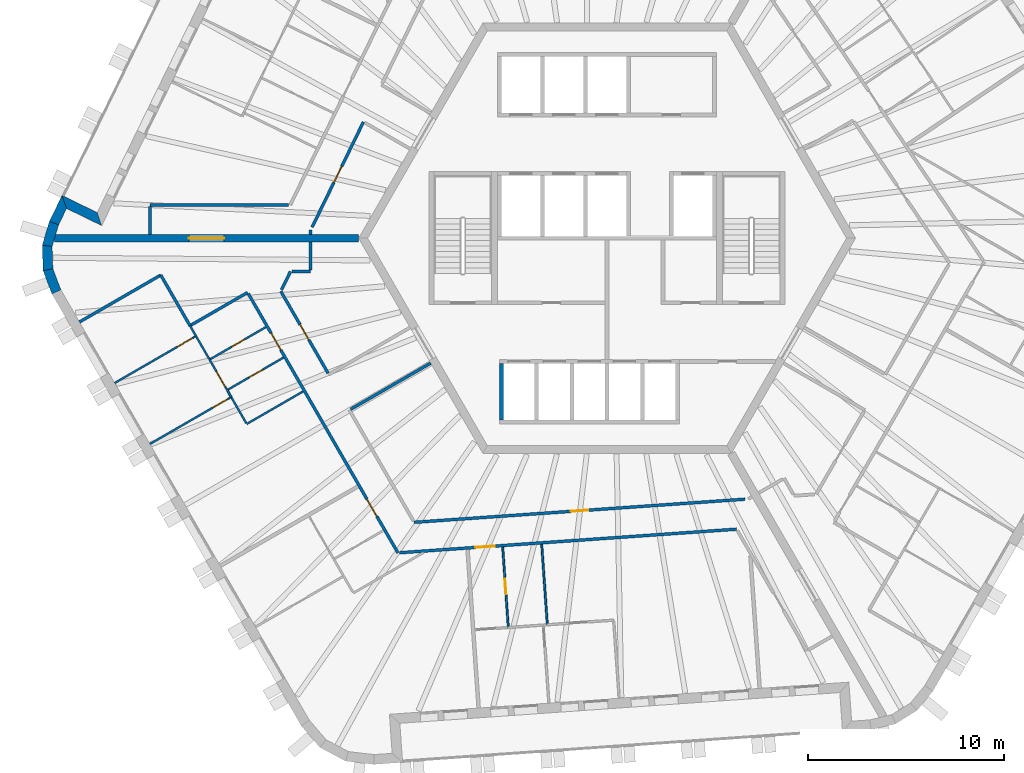
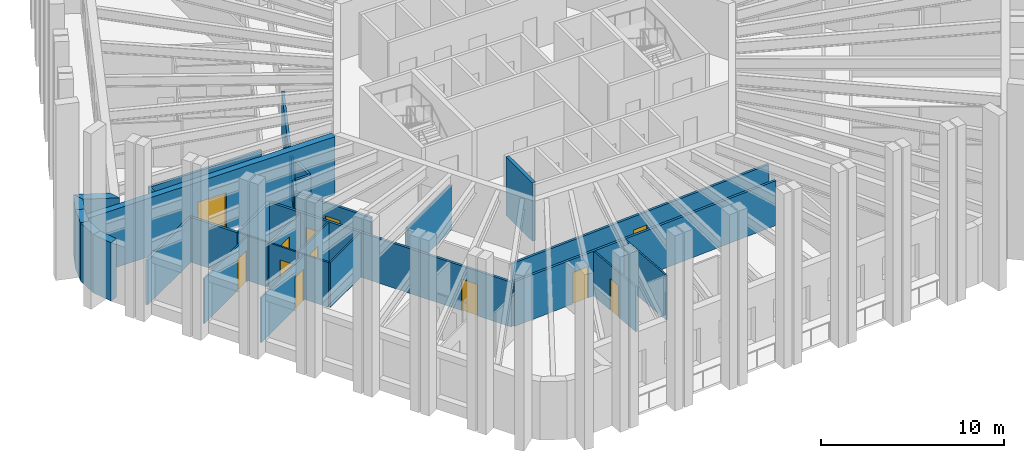
# One storey, part 4 of 13: 34 walls, 13 doors, 13 openings.
"""IFC4 building model written with IfcOpenShell, lengths in metres."""

from ifc_helpers import new_model, si_unit, direction, frame, frame_2d, origin, place, context, subcontext, project, spatial, polyline, rectangle, outline, extrude, material, layer, layer_set, type_object, element, fill, save


model = new_model("IFC4")

# Units and contexts
model_context = context("Model", 3, precision=1e-05, world=origin(), true_north=direction((0.0, 1.0)))
body_context = subcontext(model_context, "Body", "Model", "MODEL_VIEW")
ifc_project = project(units=[si_unit("LENGTHUNIT", "METRE"), si_unit("AREAUNIT", "SQUARE_METRE"), si_unit("VOLUMEUNIT", "CUBIC_METRE"), si_unit("PLANEANGLEUNIT", "RADIAN"), si_unit("MASSUNIT", "GRAM", prefix="KILO")], contexts=[model_context])

# Site, building, storey
site_placement = place(None, origin())
site = spatial("IfcSite", under=ifc_project, at=site_placement, CompositionType="ELEMENT")
building_placement = place(site_placement, origin())
building = spatial("IfcBuilding", under=site, at=building_placement, Name="Tarnside Tower", CompositionType="ELEMENT")
storey_placement = place(building_placement, frame((0.0, 0.0, 279.60009765625)))
storey = spatial("IfcBuildingStorey", under=building, at=storey_placement, Name="L67", CompositionType="ELEMENT", Elevation=279.60009765625)

# Walls
ifc_material_1 = material(Name="Gypsum board partition on steel studs", Category="steel")
ifc_layer_1 = layer(ifc_material_1, 0.10009765625)
ifc_layer_set_1 = layer_set([ifc_layer_1], Name="Bathroom wall 100")
wall_type_1 = type_object("IfcWallType", Name="Bathroom wall 100", PredefinedType="PARTITIONING", material=ifc_layer_set_1)
wall_1_placement = place(storey_placement, frame((-15.540283203125, -7.83349609375, 0.0), z_axis=(0.0, 0.0, 1.0), x_axis=(-0.866020521143, -0.500008456887, 0.0)))
element("IfcWall", 1, at=wall_1_placement, inside=storey, type_object=wall_type_1, Name="Bathroom wall 22118", PredefinedType="PARTITIONING", context=body_context, shape_type="SweptSolid", body=[
    extrude(rectangle(XDim=3.3251953125, YDim=0.10009765625, at=frame_2d((1.66259765625, 0.0))), origin(), (0.0, 0.0, 1.0), 2.98779296875),
])
wall_2_placement = place(storey_placement, frame((-18.44482421875, -9.45263671875, 0.0), z_axis=(0.0, 0.0, 1.0), x_axis=(-0.500024172624, 0.866011447264, 0.0)))
element("IfcWall", 2, at=wall_2_placement, inside=storey, type_object=wall_type_1, Name="Bathroom wall 22119", PredefinedType="PARTITIONING", context=body_context, shape_type="SweptSolid", body=[
    extrude(rectangle(XDim=1.541015625, YDim=0.10009765625, at=frame_2d((0.7705078125, 0.0))), origin(), (0.0, 0.0, 1.0), 2.98779296875),
])

# Wall, opening, door
wall_3_placement = place(storey_placement, frame((-17.440185546875, -4.54248046875, 0.0), z_axis=(0.0, 0.0, 1.0), x_axis=(-0.866020521143, -0.500008456887, 0.0)))
wall_3 = element("IfcWall", 3, at=wall_3_placement, inside=storey, type_object=wall_type_1, Name="Bathroom wall 22122", PredefinedType="PARTITIONING", context=body_context, shape_type="SweptSolid", body=[
    extrude(rectangle(XDim=3.3251953125, YDim=0.10009765625, at=frame_2d((1.66259765625, 0.0))), origin(), (0.0, 0.0, 1.0), 2.98779296875),
])
opening_1_placement = place(wall_3_placement, frame((1.22509765625, 0.0, 0.0)))
opening_1 = element("IfcOpeningElement", 4, at=opening_1_placement, cuts=wall_3, Name="Opening D-B1", PredefinedType="OPENING", context=body_context, shape_type="SweptSolid", body=[
    extrude(rectangle(XDim=0.800048828125, YDim=2.10009765625, at=frame_2d((0.39990234375, 1.050048828125))), frame((0.0, 0.06005859375, 0.0), z_axis=(0.0, -1.0, 0.0), x_axis=(1.0, 0.0, 0.0)), (0.0, 0.0, 1.0), 0.1201171875),
])
ifc_material_2 = material(Name="Timber door leaf", Category="wood")
door_type_1 = type_object("IfcDoorType", Name="Bathroom door 800", OperationType="NOTDEFINED", PredefinedType="DOOR", material=ifc_material_2)
door_1_placement = place(opening_1_placement, origin())
door_1 = element("IfcDoor", 5, at=door_1_placement, inside=storey, type_object=door_type_1, Name="Bathroom door 22031", OperationType="SINGLE_SWING_RIGHT", OverallHeight=2.10009765625, OverallWidth=0.800048828125, PredefinedType="DOOR", context=body_context, shape_type="SweptSolid", body=[
    extrude(rectangle(XDim=0.800048828125, YDim=2.10009765625, at=frame_2d((0.39990234375, 1.050048828125))), frame((0.0, 0.02490234375, 0.0), z_axis=(0.0, -1.0, 0.0), x_axis=(1.0, 0.0, 0.0)), (0.0, 0.0, 1.0), 0.050048828125),
])
fill(opening_1, door_1)

wall_4_placement = place(storey_placement, frame((-19.419677734375, -7.763916015625, 0.0), z_axis=(0.0, 0.0, 1.0), x_axis=(0.866002163101, 0.500040251884, 0.0)))
wall_4 = element("IfcWall", 6, at=wall_4_placement, inside=storey, type_object=wall_type_1, Name="Bathroom wall 22124", PredefinedType="PARTITIONING", context=body_context, shape_type="SweptSolid", body=[
    extrude(rectangle(XDim=3.324951171875, YDim=0.10009765625, at=frame_2d((1.66259765625, 0.0))), origin(), (0.0, 0.0, 1.0), 2.98779296875),
])
opening_2_placement = place(wall_4_placement, frame((1.300048828125, 0.0, 0.0)))
opening_2 = element("IfcOpeningElement", 7, at=opening_2_placement, cuts=wall_4, Name="Opening D-B1", PredefinedType="OPENING", context=body_context, shape_type="SweptSolid", body=[
    extrude(rectangle(XDim=0.800048828125, YDim=2.10009765625, at=frame_2d((0.39990234375, 1.050048828125))), frame((0.0, 0.06005859375, 0.0), z_axis=(0.0, -1.0, 0.0), x_axis=(1.0, 0.0, 0.0)), (0.0, 0.0, 1.0), 0.1201171875),
])
door_2_placement = place(opening_2_placement, origin())
door_2 = element("IfcDoor", 8, at=door_2_placement, inside=storey, type_object=door_type_1, Name="Bathroom door 22040", OperationType="SINGLE_SWING_LEFT", OverallHeight=2.10009765625, OverallWidth=0.800048828125, PredefinedType="DOOR", context=body_context, shape_type="SweptSolid", body=[
    extrude(rectangle(XDim=0.800048828125, YDim=2.10009765625, at=frame_2d((0.39990234375, 1.050048828125))), frame((0.0, 0.02490234375, 0.0), z_axis=(0.0, -1.0, 0.0), x_axis=(1.0, 0.0, 0.0)), (0.0, 0.0, 1.0), 0.050048828125),
])
fill(opening_2, door_2)

# Walls
wall_5_placement = place(storey_placement, frame((-21.32080078125, -4.47119140625, 0.0), z_axis=(0.0, 0.0, 1.0), x_axis=(0.499779910804, -0.866152435058, 0.0)))
element("IfcWall", 9, at=wall_5_placement, inside=storey, type_object=wall_type_1, Name="Bathroom wall 22125", PredefinedType="PARTITIONING", context=body_context, shape_type="SweptSolid", body=[
    extrude(rectangle(XDim=0.613037109375, YDim=0.10009765625, at=frame_2d((0.306640625, 0.0))), origin(), (0.0, 0.0, 1.0), 2.98779296875),
])
wall_6_placement = place(storey_placement, frame((-21.014404296875, -5.002197265625, 0.0), z_axis=(0.0, 0.0, 1.0), x_axis=(0.500074377092, -0.865982457891, 0.0)))
element("IfcWall", 10, at=wall_6_placement, inside=storey, type_object=wall_type_1, Name="Bathroom wall 22126", PredefinedType="PARTITIONING", context=body_context, shape_type="SweptSolid", body=[
    extrude(rectangle(XDim=1.341064453125, YDim=0.10009765625, at=frame_2d((0.67041015625, 0.0))), origin(), (0.0, 0.0, 1.0), 2.98779296875),
])
wall_7_placement = place(storey_placement, frame((-19.21337890625, -8.12158203125, 0.0), z_axis=(0.0, 0.0, 1.0), x_axis=(-0.499683639304, 0.866207977689, 0.0)))
element("IfcWall", 11, at=wall_7_placement, inside=storey, type_object=wall_type_1, Name="Bathroom wall 22128", PredefinedType="PARTITIONING", context=body_context, shape_type="SweptSolid", body=[
    extrude(rectangle(XDim=0.363037109375, YDim=0.10009765625, at=frame_2d((0.181640625, 0.0))), origin(), (0.0, 0.0, 1.0), 2.98779296875),
])
wall_8_placement = place(storey_placement, frame((-3.341552734375, -15.646240234375, 0.0), z_axis=(0.0, 0.0, 1.0), x_axis=(0.069779065701, -0.997562470219, 0.0)))
element("IfcWall", 12, at=wall_8_placement, inside=storey, type_object=wall_type_1, Name="Bathroom wall 22137", PredefinedType="PARTITIONING", context=body_context, shape_type="SweptSolid", body=[
    extrude(rectangle(XDim=4.125, YDim=0.10009765625, at=frame_2d((2.0625, 0.0))), origin(), (0.0, 0.0, 1.0), 2.98779296875),
])

# Wall, opening, door
wall_9_placement = place(storey_placement, frame((-5.048828125, -19.900634765625, 0.0), z_axis=(0.0, 0.0, 1.0), x_axis=(-0.069779065701, 0.997562470219, 0.0)))
wall_9 = element("IfcWall", 13, at=wall_9_placement, inside=storey, type_object=wall_type_1, Name="Bathroom wall 22141", PredefinedType="PARTITIONING", context=body_context, shape_type="SweptSolid", body=[
    extrude(rectangle(XDim=4.125, YDim=0.10009765625, at=frame_2d((2.0625, 0.0))), origin(), (0.0, 0.0, 1.0), 2.98779296875),
])
opening_3_placement = place(wall_9_placement, frame((1.699951171875, 0.0, 0.0)))
opening_3 = element("IfcOpeningElement", 14, at=opening_3_placement, cuts=wall_9, Name="Opening D-B1", PredefinedType="OPENING", context=body_context, shape_type="SweptSolid", body=[
    extrude(rectangle(XDim=0.800048828125, YDim=2.10009765625, at=frame_2d((0.39990234375, 1.050048828125))), frame((0.0, 0.06005859375, 0.0), z_axis=(0.0, -1.0, 0.0), x_axis=(1.0, 0.0, 0.0)), (0.0, 0.0, 1.0), 0.1201171875),
])
door_3_placement = place(opening_3_placement, origin())
door_3 = element("IfcDoor", 15, at=door_3_placement, inside=storey, type_object=door_type_1, Name="Bathroom door 22047", OperationType="SINGLE_SWING_LEFT", OverallHeight=2.10009765625, OverallWidth=0.800048828125, PredefinedType="DOOR", context=body_context, shape_type="SweptSolid", body=[
    extrude(rectangle(XDim=0.800048828125, YDim=2.10009765625, at=frame_2d((0.39990234375, 1.050048828125))), frame((0.0, 0.02490234375, 0.0), z_axis=(0.0, -1.0, 0.0), x_axis=(1.0, 0.0, 0.0)), (0.0, 0.0, 1.0), 0.050048828125),
])
fill(opening_3, door_3)

ifc_material_3 = material(Name="Concrete C60/75", Category="concrete")
ifc_layer_2 = layer(ifc_material_3, 0.39990234375)
ifc_layer_set_2 = layer_set([ifc_layer_2], Name="Core wall Z3 400 C60/75")
wall_type_2 = type_object("IfcWallType", Name="Core wall Z3 400 C60/75", PredefinedType="SHEAR", material=ifc_layer_set_2)
wall_10_placement = place(storey_placement, frame((-12.70166015625, 0.0, -0.150146484375), z_axis=(0.0, 0.0, 1.0), x_axis=(-1.0, 0.0, 0.0)))
wall_10 = element("IfcWall", 16, at=wall_10_placement, inside=storey, type_object=wall_type_2, Name="L67 spine wall 2", PredefinedType="SHEAR", context=body_context, shape_type="SweptSolid", body=[
    extrude(rectangle(XDim=15.54443359375, YDim=0.39990234375, at=frame_2d((7.772216796875, 0.0))), origin(), (0.0, 0.0, 1.0), 3.900146484375),
])
opening_4_placement = place(wall_10_placement, frame((6.872314453125, 0.0, 0.14990234375)))
opening_4 = element("IfcOpeningElement", 17, at=opening_4_placement, cuts=wall_10, Name="Opening CD-SPN", PredefinedType="OPENING", context=body_context, shape_type="SweptSolid", body=[
    extrude(rectangle(XDim=1.800048828125, YDim=2.39990234375, at=frame_2d((0.89990234375, 1.199951171875))), frame((0.0, 0.2099609375, 0.0), z_axis=(0.0, -1.0, 0.0), x_axis=(1.0, 0.0, 0.0)), (0.0, 0.0, 1.0), 0.419921875),
])
ifc_material_4 = material(Name="Steel fire door", Category="steel")
door_type_2 = type_object("IfcDoorType", Name="Spine passage double door FD60 1800x2400", OperationType="NOTDEFINED", PredefinedType="DOOR", material=ifc_material_4)
door_4_placement = place(opening_4_placement, origin())
door_4 = element("IfcDoor", 18, at=door_4_placement, inside=storey, type_object=door_type_2, Name="L67 spine passage door 2", OperationType="DOUBLE_DOOR_SINGLE_SWING", OverallHeight=2.39990234375, OverallWidth=1.800048828125, PredefinedType="DOOR", context=body_context, shape_type="SweptSolid", body=[
    extrude(rectangle(XDim=1.800048828125, YDim=2.39990234375, at=frame_2d((0.89990234375, 1.199951171875))), frame((0.0, 0.02490234375, 0.0), z_axis=(0.0, -1.0, 0.0), x_axis=(1.0, 0.0, 0.0)), (0.0, 0.0, 1.0), 0.050048828125),
])
fill(opening_4, door_4)

# Walls
ifc_layer_3 = layer(ifc_material_1, 0.14990234375)
ifc_layer_set_3 = layer_set([ifc_layer_3], Name="Corridor wall 150 EI 60")
wall_type_3 = type_object("IfcWallType", Name="Corridor wall 150 EI 60", PredefinedType="PARTITIONING", material=ifc_layer_set_3)
wall_11_placement = place(storey_placement, frame((-16.277099609375, 1.699951171875, 0.0), z_axis=(0.0, 0.0, 1.0), x_axis=(-1.0, 0.0, 0.0)))
element("IfcWall", 19, at=wall_11_placement, inside=storey, type_object=wall_type_3, Name="Corridor wall 22015", PredefinedType="PARTITIONING", context=body_context, shape_type="SweptSolid", body=[
    extrude(rectangle(XDim=7.096923828125, YDim=0.14990234375, at=frame_2d((3.54833984375, 0.0))), origin(), (0.0, 0.0, 1.0), 2.98779296875),
])
wall_12_placement = place(storey_placement, frame((-23.3740234375, 1.625, 0.0), z_axis=(0.0, 0.0, 1.0), x_axis=(0.0, -1.0, 0.0)))
element("IfcWall", 20, at=wall_12_placement, inside=storey, type_object=wall_type_3, Name="Corridor wall 22016", PredefinedType="PARTITIONING", context=body_context, shape_type="SweptSolid", body=[
    extrude(rectangle(XDim=1.425048828125, YDim=0.14990234375, at=frame_2d((0.71240234375, 0.0))), origin(), (0.0, 0.0, 1.0), 2.98779296875),
])
wall_13_placement = place(storey_placement, frame((-15.15380859375, 0.199951171875, 0.0), z_axis=(0.0, 0.0, 1.0), x_axis=(0.0, 1.0, 0.0)))
element("IfcWall", 21, at=wall_13_placement, inside=storey, type_object=wall_type_3, Name="Corridor wall 22026", PredefinedType="PARTITIONING", context=body_context, shape_type="SweptSolid", body=[
    extrude(rectangle(XDim=0.210205078125, YDim=0.14990234375, at=frame_2d((0.10498046875, 0.0))), origin(), (0.0, 0.0, 1.0), 2.98779296875),
])

# Wall, opening, door
wall_14_placement = place(storey_placement, frame((-15.078857421875, 0.563720703125, 0.0), z_axis=(0.0, 0.0, 1.0), x_axis=(0.438367391904, 0.898795877669, 0.0)))
wall_14 = element("IfcWall", 22, at=wall_14_placement, inside=storey, type_object=wall_type_3, Name="Corridor wall 22027", PredefinedType="PARTITIONING", context=body_context, shape_type="SweptSolid", body=[
    extrude(rectangle(XDim=5.987060546875, YDim=0.14990234375, at=frame_2d((2.99365234375, 0.0))), origin(), (0.0, 0.0, 1.0), 2.98779296875),
])
opening_5_placement = place(wall_14_placement, frame((2.54345703125, 0.0, 0.0)))
opening_5 = element("IfcOpeningElement", 23, at=opening_5_placement, cuts=wall_14, Name="Opening D-S1", PredefinedType="OPENING", context=body_context, shape_type="SweptSolid", body=[
    extrude(rectangle(XDim=0.89990234375, YDim=2.10009765625, at=frame_2d((0.449951171875, 1.050048828125))), frame((0.0, 0.0849609375, 0.0), z_axis=(0.0, -1.0, 0.0), x_axis=(1.0, 0.0, 0.0)), (0.0, 0.0, 1.0), 0.169921875),
])
door_type_3 = type_object("IfcDoorType", Name="Service room door 900 FD30S", OperationType="NOTDEFINED", PredefinedType="DOOR", material=ifc_material_2)
door_5_placement = place(opening_5_placement, origin())
door_5 = element("IfcDoor", 24, at=door_5_placement, inside=storey, type_object=door_type_3, Name="Service door 22087", OperationType="SINGLE_SWING_LEFT", OverallHeight=2.10009765625, OverallWidth=0.89990234375, PredefinedType="DOOR", context=body_context, shape_type="SweptSolid", body=[
    extrude(rectangle(XDim=0.89990234375, YDim=2.10009765625, at=frame_2d((0.449951171875, 1.050048828125))), frame((0.0, 0.02490234375, 0.0), z_axis=(0.0, -1.0, 0.0), x_axis=(1.0, 0.0, 0.0)), (0.0, 0.0, 1.0), 0.050048828125),
])
fill(opening_5, door_5)

# Wall, openings, doors
wall_15_placement = place(storey_placement, frame((-18.337890625, -2.837890625, 0.0), z_axis=(0.0, 0.0, 1.0), x_axis=(0.499999693481, -0.866025580753, 0.0)))
wall_15 = element("IfcWall", 25, at=wall_15_placement, inside=storey, type_object=wall_type_3, Name="Corridor wall 22029", PredefinedType="PARTITIONING", context=body_context, shape_type="SweptSolid", body=[
    extrude(rectangle(XDim=15.29638671875, YDim=0.14990234375, at=frame_2d((7.648193359375, 0.0))), origin(), (0.0, 0.0, 1.0), 2.98779296875),
])
opening_6_placement = place(wall_15_placement, frame((2.324951171875, 0.0, 0.0)))
opening_6 = element("IfcOpeningElement", 26, at=opening_6_placement, cuts=wall_15, Name="Opening D-E1", PredefinedType="OPENING", context=body_context, shape_type="SweptSolid", body=[
    extrude(rectangle(XDim=1.0, YDim=2.10009765625, at=frame_2d((0.5, 1.050048828125))), frame((0.0, 0.0849609375, 0.0), z_axis=(0.0, -1.0, 0.0), x_axis=(1.0, 0.0, 0.0)), (0.0, 0.0, 1.0), 0.169921875),
])
opening_7_placement = place(wall_15_placement, frame((12.135986328125, 0.0, 0.0)))
opening_7 = element("IfcOpeningElement", 27, at=opening_7_placement, cuts=wall_15, Name="Opening D-E1", PredefinedType="OPENING", context=body_context, shape_type="SweptSolid", body=[
    extrude(rectangle(XDim=1.0, YDim=2.10009765625, at=frame_2d((0.5, 1.050048828125))), frame((0.0, 0.0849609375, 0.0), z_axis=(0.0, -1.0, 0.0), x_axis=(1.0, 0.0, 0.0)), (0.0, 0.0, 1.0), 0.169921875),
])
door_type_4 = type_object("IfcDoorType", Name="Unit entrance door 1000 FD30S", OperationType="NOTDEFINED", PredefinedType="DOOR", material=ifc_material_2)
door_6_placement = place(opening_6_placement, origin())
door_6 = element("IfcDoor", 28, at=door_6_placement, inside=storey, type_object=door_type_4, Name="Unit door 22030", OperationType="SINGLE_SWING_RIGHT", OverallHeight=2.10009765625, OverallWidth=1.0, PredefinedType="DOOR", context=body_context, shape_type="SweptSolid", body=[
    extrude(rectangle(XDim=1.0, YDim=2.10009765625, at=frame_2d((0.5, 1.050048828125))), frame((0.0, 0.02490234375, 0.0), z_axis=(0.0, -1.0, 0.0), x_axis=(1.0, 0.0, 0.0)), (0.0, 0.0, 1.0), 0.050048828125),
])
fill(opening_6, door_6)
door_7_placement = place(opening_7_placement, origin())
door_7 = element("IfcDoor", 29, at=door_7_placement, inside=storey, type_object=door_type_4, Name="Unit door 22041", OperationType="SINGLE_SWING_RIGHT", OverallHeight=2.10009765625, OverallWidth=1.0, PredefinedType="DOOR", context=body_context, shape_type="SweptSolid", body=[
    extrude(rectangle(XDim=1.0, YDim=2.10009765625, at=frame_2d((0.5, 1.050048828125))), frame((0.0, 0.02490234375, 0.0), z_axis=(0.0, -1.0, 0.0), x_axis=(1.0, 0.0, 0.0)), (0.0, 0.0, 1.0), 0.050048828125),
])
fill(opening_7, door_7)

# Walls
wall_16_placement = place(storey_placement, frame((-21.31982421875, -4.47314453125, 0.0), z_axis=(0.0, 0.0, 1.0), x_axis=(0.866007419912, 0.500031147688, 0.0)))
element("IfcWall", 30, at=wall_16_placement, inside=storey, type_object=wall_type_3, Name="Corridor wall 22031", PredefinedType="PARTITIONING", context=body_context, shape_type="SweptSolid", body=[
    extrude(rectangle(XDim=3.400146484375, YDim=0.14990234375, at=frame_2d((1.7001953125, 0.0))), origin(), (0.0, 0.0, 1.0), 2.98779296875),
])
wall_17_placement = place(storey_placement, frame((-26.97119140625, -4.284423828125, 0.0), z_axis=(0.0, 0.0, 1.0), x_axis=(0.866017831539, 0.500013115284, 0.0)))
element("IfcWall", 31, at=wall_17_placement, inside=storey, type_object=wall_type_3, Name="Corridor wall 22033", PredefinedType="PARTITIONING", context=body_context, shape_type="SweptSolid", body=[
    extrude(rectangle(XDim=4.798583984375, YDim=0.14990234375, at=frame_2d((2.3994140625, 0.0))), origin(), (0.0, 0.0, 1.0), 2.98779296875),
])
wall_18_placement = place(storey_placement, frame((-22.813720703125, -1.885498046875, 0.0), z_axis=(0.0, 0.0, 1.0), x_axis=(0.499983857782, -0.866034723298, 0.0)))
element("IfcWall", 32, at=wall_18_placement, inside=storey, type_object=wall_type_3, Name="Corridor wall 22034", PredefinedType="PARTITIONING", context=body_context, shape_type="SweptSolid", body=[
    extrude(rectangle(XDim=2.9912109375, YDim=0.14990234375, at=frame_2d((1.49560546875, 0.0))), origin(), (0.0, 0.0, 1.0), 2.98779296875),
])

# Wall, opening, door
wall_19_placement = place(storey_placement, frame((-10.6064453125, -16.0791015625, 0.0), z_axis=(0.0, 0.0, 1.0), x_axis=(0.997563356349, 0.069766396426, 0.0)))
wall_19 = element("IfcWall", 33, at=wall_19_placement, inside=storey, type_object=wall_type_3, Name="Corridor wall 22036", PredefinedType="PARTITIONING", context=body_context, shape_type="SweptSolid", body=[
    extrude(rectangle(XDim=17.27294921875, YDim=0.14990234375, at=frame_2d((8.636474609375, 0.0))), origin(), (0.0, 0.0, 1.0), 2.98779296875),
])
opening_8_placement = place(wall_19_placement, frame((3.87744140625, 0.0, 0.0)))
opening_8 = element("IfcOpeningElement", 34, at=opening_8_placement, cuts=wall_19, Name="Opening D-E1", PredefinedType="OPENING", context=body_context, shape_type="SweptSolid", body=[
    extrude(rectangle(XDim=1.0, YDim=2.10009765625, at=frame_2d((0.5, 1.050048828125))), frame((0.0, 0.0849609375, 0.0), z_axis=(0.0, -1.0, 0.0), x_axis=(1.0, 0.0, 0.0)), (0.0, 0.0, 1.0), 0.169921875),
])
door_8_placement = place(opening_8_placement, origin())
door_8 = element("IfcDoor", 35, at=door_8_placement, inside=storey, type_object=door_type_4, Name="Unit door 22046", OperationType="SINGLE_SWING_LEFT", OverallHeight=2.10009765625, OverallWidth=1.0, PredefinedType="DOOR", context=body_context, shape_type="SweptSolid", body=[
    extrude(rectangle(XDim=1.0, YDim=2.10009765625, at=frame_2d((0.5, 1.050048828125))), frame((0.0, 0.02490234375, 0.0), z_axis=(0.0, -1.0, 0.0), x_axis=(1.0, 0.0, 0.0)), (0.0, 0.0, 1.0), 0.050048828125),
])
fill(opening_8, door_8)

wall_20_placement = place(storey_placement, frame((-14.26025390625, -6.900634765625, 0.0), z_axis=(0.0, 0.0, 1.0), x_axis=(-0.499978899972, 0.866037585549, 0.0)))
wall_20 = element("IfcWall", 36, at=wall_20_placement, inside=storey, type_object=wall_type_3, Name="Corridor wall 22047", PredefinedType="PARTITIONING", context=body_context, shape_type="SweptSolid", body=[
    extrude(rectangle(XDim=4.834716796875, YDim=0.14990234375, at=frame_2d((2.41748046875, 0.0))), origin(), (0.0, 0.0, 1.0), 2.98779296875),
])
opening_9_placement = place(wall_20_placement, frame((1.96728515625, 0.0, 0.0)))
opening_9 = element("IfcOpeningElement", 37, at=opening_9_placement, cuts=wall_20, Name="Opening D-S1", PredefinedType="OPENING", context=body_context, shape_type="SweptSolid", body=[
    extrude(rectangle(XDim=0.89990234375, YDim=2.10009765625, at=frame_2d((0.449951171875, 1.050048828125))), frame((0.0, 0.0849609375, 0.0), z_axis=(0.0, -1.0, 0.0), x_axis=(1.0, 0.0, 0.0)), (0.0, 0.0, 1.0), 0.169921875),
])
door_9_placement = place(opening_9_placement, origin())
door_9 = element("IfcDoor", 38, at=door_9_placement, inside=storey, type_object=door_type_3, Name="Service door 22088", OperationType="SINGLE_SWING_RIGHT", OverallHeight=2.10009765625, OverallWidth=0.89990234375, PredefinedType="DOOR", context=body_context, shape_type="SweptSolid", body=[
    extrude(rectangle(XDim=0.89990234375, YDim=2.10009765625, at=frame_2d((0.449951171875, 1.050048828125))), frame((0.0, 0.02490234375, 0.0), z_axis=(0.0, -1.0, 0.0), x_axis=(1.0, 0.0, 0.0)), (0.0, 0.0, 1.0), 0.050048828125),
])
fill(opening_9, door_9)

# Walls
wall_21_placement = place(storey_placement, frame((-16.637939453125, -2.63232421875, 0.0), z_axis=(0.0, 0.0, 1.0), x_axis=(0.438437541994, 0.898761660158, 0.0)))
element("IfcWall", 39, at=wall_21_placement, inside=storey, type_object=wall_type_3, Name="Corridor wall 22048", PredefinedType="PARTITIONING", context=body_context, shape_type="SweptSolid", body=[
    extrude(rectangle(XDim=1.037353515625, YDim=0.14990234375, at=frame_2d((0.5185546875, 0.0))), origin(), (0.0, 0.0, 1.0), 2.98779296875),
])
wall_22_placement = place(storey_placement, frame((-16.099609375, -1.699951171875, 0.0), z_axis=(0.0, 0.0, 1.0), x_axis=(1.0, 0.0, 0.0)))
element("IfcWall", 40, at=wall_22_placement, inside=storey, type_object=wall_type_3, Name="Corridor wall 22049", PredefinedType="PARTITIONING", context=body_context, shape_type="SweptSolid", body=[
    extrude(rectangle(XDim=0.94580078125, YDim=0.14990234375, at=frame_2d((0.472900390625, 0.0))), origin(), (0.0, 0.0, 1.0), 2.98779296875),
])
wall_23_placement = place(storey_placement, frame((-15.15380859375, -1.625, 0.0), z_axis=(0.0, 0.0, 1.0), x_axis=(0.0, 1.0, 0.0)))
element("IfcWall", 41, at=wall_23_placement, inside=storey, type_object=wall_type_3, Name="Corridor wall 22050", PredefinedType="PARTITIONING", context=body_context, shape_type="SweptSolid", body=[
    extrude(rectangle(XDim=1.425048828125, YDim=0.14990234375, at=frame_2d((0.71240234375, 0.0))), origin(), (0.0, 0.0, 1.0), 2.98779296875),
])

# Wall, opening, door
wall_24_placement = place(storey_placement, frame((7.05126953125, -13.340576171875, 0.0), z_axis=(0.0, 0.0, 1.0), x_axis=(-0.997563599815, -0.069762915103, 0.0)))
wall_24 = element("IfcWall", 42, at=wall_24_placement, inside=storey, type_object=wall_type_3, Name="Corridor wall 22052", PredefinedType="PARTITIONING", context=body_context, shape_type="SweptSolid", body=[
    extrude(rectangle(XDim=16.951904296875, YDim=0.14990234375, at=frame_2d((8.47607421875, 0.0))), origin(), (0.0, 0.0, 1.0), 2.98779296875),
])
opening_10_placement = place(wall_24_placement, frame((8.02587890625, 0.0, 0.0)))
opening_10 = element("IfcOpeningElement", 43, at=opening_10_placement, cuts=wall_24, Name="Opening D-S1", PredefinedType="OPENING", context=body_context, shape_type="SweptSolid", body=[
    extrude(rectangle(XDim=0.89990234375, YDim=2.10009765625, at=frame_2d((0.449951171875, 1.050048828125))), frame((0.0, 0.0849609375, 0.0), z_axis=(0.0, -1.0, 0.0), x_axis=(1.0, 0.0, 0.0)), (0.0, 0.0, 1.0), 0.169921875),
])
door_10_placement = place(opening_10_placement, origin())
door_10 = element("IfcDoor", 44, at=door_10_placement, inside=storey, type_object=door_type_3, Name="Service door 22089", OperationType="SINGLE_SWING_LEFT", OverallHeight=2.10009765625, OverallWidth=0.89990234375, PredefinedType="DOOR", context=body_context, shape_type="SweptSolid", body=[
    extrude(rectangle(XDim=0.89990234375, YDim=2.10009765625, at=frame_2d((0.449951171875, 1.050048828125))), frame((0.0, 0.02490234375, 0.0), z_axis=(0.0, -1.0, 0.0), x_axis=(1.0, 0.0, 0.0)), (0.0, 0.0, 1.0), 0.050048828125),
])
fill(opening_10, door_10)

# Walls
wall_25_placement = place(storey_placement, frame((-13.107666015625, -8.746826171875, 0.0), z_axis=(0.0, 0.0, 1.0), x_axis=(0.866024684746, 0.500001245408, 0.0)))
element("IfcWall", 45, at=wall_25_placement, inside=storey, type_object=wall_type_3, Name="Corridor wall 22054", PredefinedType="PARTITIONING", context=body_context, shape_type="SweptSolid", body=[
    extrude(rectangle(XDim=4.72509765625, YDim=0.14990234375, at=frame_2d((2.362548828125, 0.0))), origin(), (0.0, 0.0, 1.0), 2.98779296875),
])
ifc_material_5 = material(Name="Concrete C40/50", Category="concrete")
ifc_layer_4 = layer(ifc_material_5, 0.199951171875)
ifc_layer_set_4 = layer_set([ifc_layer_4], Name="Lift shaft wall 200 C40/50")
wall_type_4 = type_object("IfcWallType", Name="Lift shaft wall 200 C40/50", PredefinedType="SHEAR", material=ifc_layer_set_4)
wall_26_placement = place(storey_placement, frame((-5.39990234375, -9.300048828125, -0.25), z_axis=(0.0, 0.0, 1.0), x_axis=(0.0, 1.0, 0.0)))
element("IfcWall", 46, at=wall_26_placement, inside=storey, type_object=wall_type_4, Name="L67 lift shaft partition R41", PredefinedType="SHEAR", context=body_context, shape_type="SweptSolid", body=[
    extrude(rectangle(XDim=2.900146484375, YDim=0.199951171875, at=frame_2d((1.4501953125, 0.0))), origin(), (0.0, 0.0, 1.0), 3.89990234375),
])
ifc_material_6 = material(Name="Dark zinc cladding")
ifc_layer_5 = layer(ifc_material_6, 0.10205078125)
ifc_material_7 = material(Name="Concrete C60/75 precast", Category="concrete")
ifc_layer_6 = layer(ifc_material_7, 0.298095703125)
ifc_material_8 = material(Name="Mineral wool insulation")
ifc_layer_7 = layer(ifc_material_8, 0.10009765625)
ifc_layer_set_5 = layer_set([ifc_layer_5, ifc_layer_6, ifc_layer_7], Name="Loggia wall 500 zinc faced")
wall_type_5 = type_object("IfcWallType", Name="Loggia wall 500 zinc faced", PredefinedType="SOLIDWALL", material=ifc_layer_set_5)
wall_27_placement = place(storey_placement, frame((-25.9482421875, 0.97607421875, -0.150146484375), z_axis=(0.0, 0.0, 1.0), x_axis=(-0.898802465371, 0.438353884714, 0.0)))
element("IfcWall", 47, at=wall_27_placement, inside=storey, type_object=wall_type_5, Name="Tube wall L67 F2 return 07", PredefinedType="SOLIDWALL", context=body_context, shape_type="SweptSolid", body=[
    extrude(outline(polyline([(0.25, -0.25), (2.25, -0.25), (1.75, 0.25), (-0.25, 0.25), (0.25, -0.25)])), origin(), (0.0, 0.0, 1.0), 3.900146484375),
])
wall_28_placement = place(storey_placement, frame((-27.745849609375, 1.852783203125, -0.150146484375), z_axis=(0.0, 0.0, 1.0), x_axis=(-0.438319390103, -0.898819287877, 0.0)))
element("IfcWall", 48, at=wall_28_placement, inside=storey, type_object=wall_type_5, Name="Tube wall L67 F2 stub 08", PredefinedType="SOLIDWALL", context=body_context, shape_type="SweptSolid", body=[
    extrude(outline(polyline([(-0.25, -0.25), (1.22021484375, -0.25), (1.17919921875, 0.25), (0.25, 0.25), (-0.25, -0.25)])), origin(), (0.0, 0.0, 1.0), 3.900146484375),
])

# Wall, opening, door
ifc_layer_8 = layer(ifc_material_1, 0.10009765625)
ifc_layer_set_6 = layer_set([ifc_layer_8], Name="Partition 100")
wall_type_6 = type_object("IfcWallType", Name="Partition 100", PredefinedType="PARTITIONING", material=ifc_layer_set_6)
wall_29_placement = place(storey_placement, frame((-19.257568359375, -8.144775390625, 0.0), z_axis=(0.0, 0.0, 1.0), x_axis=(-0.866033238375, -0.499986429846, 0.0)))
wall_29 = element("IfcWall", 49, at=wall_29_placement, inside=storey, type_object=wall_type_6, Name="Partition wall 22117", PredefinedType="PARTITIONING", context=body_context, shape_type="SweptSolid", body=[
    extrude(rectangle(XDim=4.750244140625, YDim=0.10009765625, at=frame_2d((2.375, 0.0))), origin(), (0.0, 0.0, 1.0), 2.98779296875),
])
opening_11_placement = place(wall_29_placement, frame((0.14990234375, 0.0, 0.0)))
opening_11 = element("IfcOpeningElement", 50, at=opening_11_placement, cuts=wall_29, Name="Opening D-I1", PredefinedType="OPENING", context=body_context, shape_type="SweptSolid", body=[
    extrude(rectangle(XDim=0.89990234375, YDim=2.10009765625, at=frame_2d((0.449951171875, 1.050048828125))), frame((0.0, 0.06005859375, 0.0), z_axis=(0.0, -1.0, 0.0), x_axis=(1.0, 0.0, 0.0)), (0.0, 0.0, 1.0), 0.1201171875),
])
door_type_5 = type_object("IfcDoorType", Name="Internal door 900", OperationType="NOTDEFINED", PredefinedType="DOOR", material=ifc_material_2)
door_11_placement = place(opening_11_placement, origin())
door_11 = element("IfcDoor", 51, at=door_11_placement, inside=storey, type_object=door_type_5, Name="Internal door 22039", OperationType="SINGLE_SWING_RIGHT", OverallHeight=2.10009765625, OverallWidth=0.89990234375, PredefinedType="DOOR", context=body_context, shape_type="SweptSolid", body=[
    extrude(rectangle(XDim=0.89990234375, YDim=2.10009765625, at=frame_2d((0.449951171875, 1.050048828125))), frame((0.0, 0.02490234375, 0.0), z_axis=(0.0, -1.0, 0.0), x_axis=(1.0, 0.0, 0.0)), (0.0, 0.0, 1.0), 0.050048828125),
])
fill(opening_11, door_11)

wall_30_placement = place(storey_placement, frame((-20.32080078125, -6.203369140625, 0.0), z_axis=(0.0, 0.0, 1.0), x_axis=(0.500054364951, -0.86599401389, 0.0)))
wall_30 = element("IfcWall", 52, at=wall_30_placement, inside=storey, type_object=wall_type_6, Name="Partition wall 22123", PredefinedType="PARTITIONING", context=body_context, shape_type="SweptSolid", body=[
    extrude(rectangle(XDim=1.803955078125, YDim=0.10009765625, at=frame_2d((0.90185546875, 0.0))), origin(), (0.0, 0.0, 1.0), 2.98779296875),
])
opening_12_placement = place(wall_30_placement, frame((0.7041015625, 0.0, 0.0)))
opening_12 = element("IfcOpeningElement", 53, at=opening_12_placement, cuts=wall_30, Name="Opening D-I1", PredefinedType="OPENING", context=body_context, shape_type="SweptSolid", body=[
    extrude(rectangle(XDim=0.89990234375, YDim=2.10009765625, at=frame_2d((0.449951171875, 1.050048828125))), frame((0.0, 0.06005859375, 0.0), z_axis=(0.0, -1.0, 0.0), x_axis=(1.0, 0.0, 0.0)), (0.0, 0.0, 1.0), 0.1201171875),
])
door_12_placement = place(opening_12_placement, origin())
door_12 = element("IfcDoor", 54, at=door_12_placement, inside=storey, type_object=door_type_5, Name="Internal door 22034", OperationType="SINGLE_SWING_RIGHT", OverallHeight=2.10009765625, OverallWidth=0.89990234375, PredefinedType="DOOR", context=body_context, shape_type="SweptSolid", body=[
    extrude(rectangle(XDim=0.89990234375, YDim=2.10009765625, at=frame_2d((0.449951171875, 1.050048828125))), frame((0.0, 0.02490234375, 0.0), z_axis=(0.0, -1.0, 0.0), x_axis=(1.0, 0.0, 0.0)), (0.0, 0.0, 1.0), 0.050048828125),
])
fill(opening_12, door_12)

wall_31_placement = place(storey_placement, frame((-25.171142578125, -7.402099609375, 0.0), z_axis=(0.0, 0.0, 1.0), x_axis=(0.866020389056, 0.500008685663, 0.0)))
wall_31 = element("IfcWall", 55, at=wall_31_placement, inside=storey, type_object=wall_type_6, Name="Partition wall 22127", PredefinedType="PARTITIONING", context=body_context, shape_type="SweptSolid", body=[
    extrude(rectangle(XDim=4.75, YDim=0.10009765625, at=frame_2d((2.375, 0.0))), origin(), (0.0, 0.0, 1.0), 2.98779296875),
])
opening_13_placement = place(wall_31_placement, frame((3.699951171875, 0.0, 0.0)))
opening_13 = element("IfcOpeningElement", 56, at=opening_13_placement, cuts=wall_31, Name="Opening D-I1", PredefinedType="OPENING", context=body_context, shape_type="SweptSolid", body=[
    extrude(rectangle(XDim=0.89990234375, YDim=2.10009765625, at=frame_2d((0.449951171875, 1.050048828125))), frame((0.0, 0.06005859375, 0.0), z_axis=(0.0, -1.0, 0.0), x_axis=(1.0, 0.0, 0.0)), (0.0, 0.0, 1.0), 0.1201171875),
])
door_13_placement = place(opening_13_placement, origin())
door_13 = element("IfcDoor", 57, at=door_13_placement, inside=storey, type_object=door_type_5, Name="Internal door 22037", OperationType="SINGLE_SWING_RIGHT", OverallHeight=2.10009765625, OverallWidth=0.89990234375, PredefinedType="DOOR", context=body_context, shape_type="SweptSolid", body=[
    extrude(rectangle(XDim=0.89990234375, YDim=2.10009765625, at=frame_2d((0.449951171875, 1.050048828125))), frame((0.0, 0.02490234375, 0.0), z_axis=(0.0, -1.0, 0.0), x_axis=(1.0, 0.0, 0.0)), (0.0, 0.0, 1.0), 0.050048828125),
])
fill(opening_13, door_13)

# Walls
ifc_material_9 = material(Name="Facing brick", Category="masonry")
ifc_layer_9 = layer(ifc_material_9, 0.10205078125)
ifc_layer_10 = layer(ifc_material_7, 0.298095703125)
ifc_layer_11 = layer(ifc_material_8, 0.10009765625)
ifc_layer_set_7 = layer_set([ifc_layer_9, ifc_layer_10, ifc_layer_11], Name="Tube wall 500 brick faced")
wall_type_7 = type_object("IfcWallType", Name="Tube wall 500 brick faced", PredefinedType="SOLIDWALL", material=ifc_layer_set_7)
wall_32_placement = place(storey_placement, frame((-28.271728515625, 0.7744140625, -0.150146484375), z_axis=(0.0, 0.0, 1.0), x_axis=(-0.286813843218, -0.957986335674, 0.0)))
element("IfcWall", 58, at=wall_32_placement, inside=storey, type_object=wall_type_7, Name="Tube wall L67 F2 chord 09", PredefinedType="SOLIDWALL", context=body_context, shape_type="SweptSolid", body=[
    extrude(outline(polyline([(-0.0205078125, -0.25), (1.25732421875, -0.25), (1.17529296875, 0.25), (0.0205078125, 0.25), (-0.0205078125, -0.25)])), origin(), (0.0, 0.0, 1.0), 3.900146484375),
])
wall_33_placement = place(storey_placement, frame((-28.62060546875, -0.390869140625, -0.150146484375), z_axis=(0.0, 0.0, 1.0), x_axis=(0.034925456137, -0.999389920158, 0.0)))
element("IfcWall", 59, at=wall_33_placement, inside=storey, type_object=wall_type_7, Name="Tube wall L67 F2 chord 10", PredefinedType="SOLIDWALL", context=body_context, shape_type="SweptSolid", body=[
    extrude(outline(polyline([(-0.041015625, -0.25), (1.25732421875, -0.25), (1.17529296875, 0.25), (0.041015625, 0.25), (-0.041015625, -0.25)])), origin(), (0.0, 0.0, 1.0), 3.900146484375),
])
wall_34_placement = place(storey_placement, frame((-28.578125, -1.6064453125, -0.150146484375), z_axis=(0.0, 0.0, 1.0), x_axis=(0.352838463023, -0.935684251771, 0.0)))
element("IfcWall", 60, at=wall_34_placement, inside=storey, type_object=wall_type_7, Name="Tube wall L67 F2 chord 11", PredefinedType="SOLIDWALL", context=body_context, shape_type="SweptSolid", body=[
    extrude(outline(polyline([(-0.041015625, -0.25), (1.23681640625, -0.25), (1.19580078125, 0.25), (0.041015625, 0.25), (-0.041015625, -0.25)])), origin(), (0.0, 0.0, 1.0), 3.900146484375),
])

save(model, "model.ifc")
